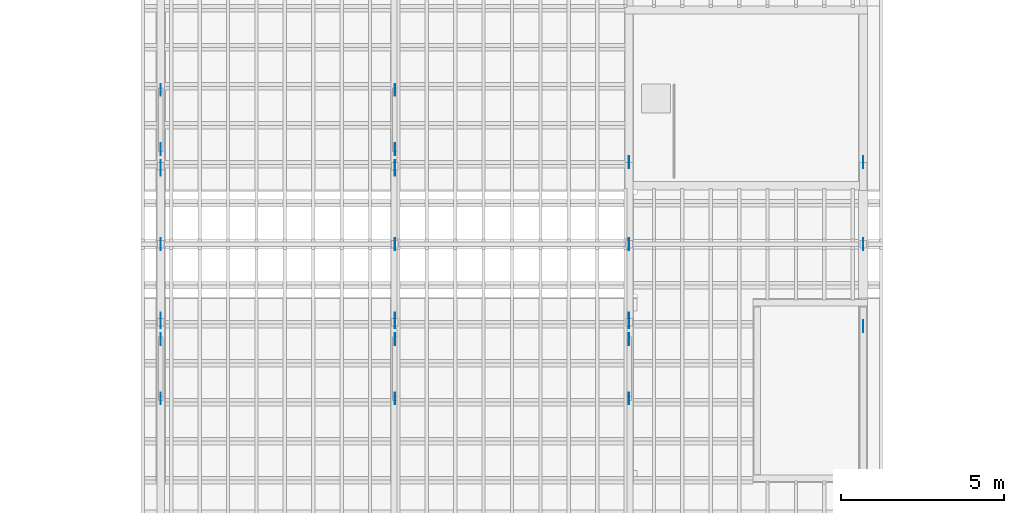
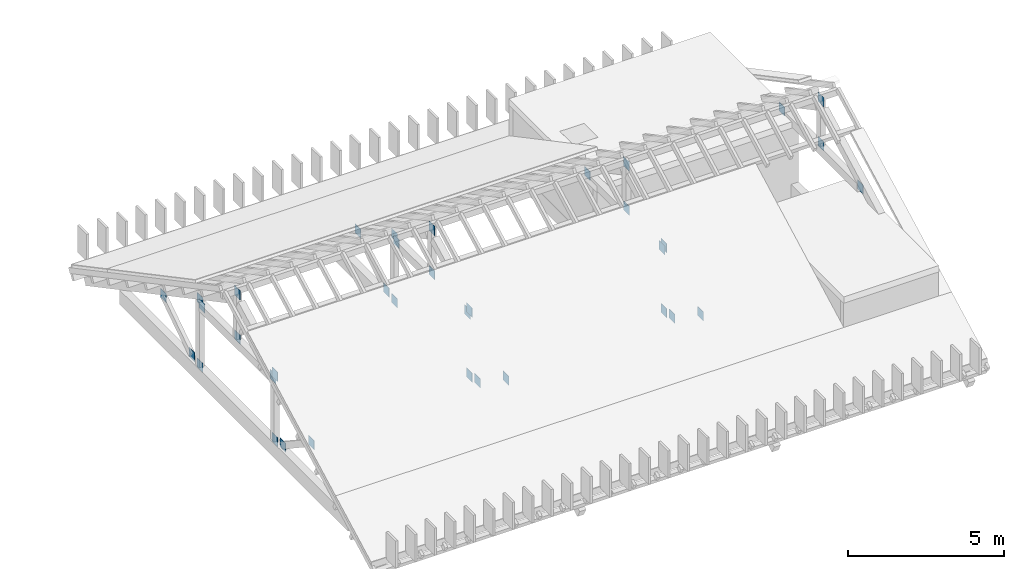
# One storey, part 22 of 28: 36 discrete accessories.
"""IFC4 building model written with IfcOpenShell, lengths in metres."""

from ifc_helpers import new_model, si_unit, direction, frame, origin, origin_2d, place, context, subcontext, project, spatial, rectangle, extrude, material, type_object, element, save


model = new_model("IFC4")

# Units and contexts
model_context = context("Model", 3, precision=1e-05, world=origin(), true_north=direction((0.0, 1.0)))
body_context = subcontext(model_context, "Body", "Model", "MODEL_VIEW")
ifc_project = project(units=[si_unit("LENGTHUNIT", "METRE"), si_unit("AREAUNIT", "SQUARE_METRE"), si_unit("VOLUMEUNIT", "CUBIC_METRE"), si_unit("PLANEANGLEUNIT", "RADIAN"), si_unit("MASSUNIT", "GRAM", prefix="KILO")], contexts=[model_context])

# Site, building, storey
site_placement = place(None, origin())
site = spatial("IfcSite", under=ifc_project, at=site_placement, CompositionType="ELEMENT")
building_placement = place(site_placement, origin())
building = spatial("IfcBuilding", under=site, at=building_placement, Name="Mazhai Court Health Centre", CompositionType="ELEMENT")
storey_placement = place(building_placement, frame((0.0, 0.0, 18.0)))
storey = spatial("IfcBuildingStorey", under=building, at=storey_placement, Name="RF", CompositionType="ELEMENT", Elevation=18.0)

# Discrete accessories
ifc_material = material(Name="Steel IS 2062 E250", Category="steel")
discrete_accessory_type = type_object("IfcDiscreteAccessoryType", Name="TRUSS NODE PLATE 12", PredefinedType="BRACKET", material=ifc_material)
for number, where, z_axis, x_axis, name in (
    (1, (107.0, 18.199951171875, 0.3798828125), (0.0, 0.0, 1.0), (1.0, 0.0, 0.0), "Node plate Post TV4E-1-P1 end a"),
    (2, (107.0, 18.199951171875, 2.93212890625), (0.0, 0.0, 1.0), (1.0, 0.0, 0.0), "Node plate Post TV4E-1-P1 end b"),
    (3, (107.0, 23.0, 0.3798828125), (0.0, 0.0, 1.0), (1.0, 0.0, 0.0), "Node plate Post TV4E-1-P2 end a"),
    (4, (107.0, 23.0, 2.93212890625), (0.0, 0.0, 1.0), (1.0, 0.0, 0.0), "Node plate Post TV4E-1-P2 end b"),
    (5, (107.0, 18.320068359375, 2.77197265625), (0.0, 0.0, 1.0), (1.0, 0.0, 0.0), "Node plate Collar TV4E-1-SB1 end a"),
    (6, (107.0, 22.8798828125, 2.77197265625), (0.0, 0.0, 1.0), (1.0, 0.0, 0.0), "Node plate Collar TV4E-1-SB1 end b"),
    (7, (107.0, 20.60009765625, 2.93212890625), (0.0, 0.0, 1.0), (1.0, 0.0, 0.0), "Node plate Post TV4E-1-P3 end a"),
    (8, (107.0, 20.60009765625, 4.66650390625), (0.0, 0.0, 1.0), (1.0, 0.0, 0.0), "Node plate Post TV4E-1-P3 end b"),
    (9, (107.0, 17.681640625, 0.47998046875), (0.0, 0.0, 1.0), (1.0, 0.0, 0.0), "Node plate Strut TV4E-1-S1 end a"),
    (10, (107.0, 15.854736328125, 1.68408203125), (0.0, 0.0, 1.0), (1.0, 0.0, 0.0), "Node plate Strut TV4E-1-S1 end b"),
    (11, (107.0, 23.518310546875, 0.47998046875), (0.0, 0.0, 1.0), (1.0, 0.0, 0.0), "Node plate Strut TV4E-1-S2 end a"),
    (12, (107.0, 25.34521484375, 1.68408203125), (0.0, 0.0, 1.0), (1.0, 0.0, 0.0), "Node plate Strut TV4E-1-S2 end b"),
    (13, (114.199951171875, 18.199951171875, 0.3798828125), (0.0, 0.0, 1.0), (1.0, 0.0, 0.0), "Node plate Post TV4E-2-P1 end a"),
    (14, (114.199951171875, 18.199951171875, 2.93212890625), (0.0, 0.0, 1.0), (1.0, 0.0, 0.0), "Node plate Post TV4E-2-P1 end b"),
    (15, (114.199951171875, 23.0, 0.3798828125), (0.0, 0.0, 1.0), (1.0, 0.0, 0.0), "Node plate Post TV4E-2-P2 end a"),
    (16, (114.199951171875, 23.0, 2.93212890625), (0.0, 0.0, 1.0), (1.0, 0.0, 0.0), "Node plate Post TV4E-2-P2 end b"),
    (17, (114.199951171875, 18.320068359375, 2.77197265625), (0.0, 0.0, 1.0), (1.0, 0.0, 0.0), "Node plate Collar TV4E-2-SB1 end a"),
    (18, (114.199951171875, 22.8798828125, 2.77197265625), (0.0, 0.0, 1.0), (1.0, 0.0, 0.0), "Node plate Collar TV4E-2-SB1 end b"),
    (19, (114.199951171875, 20.60009765625, 2.93212890625), (0.0, 0.0, 1.0), (1.0, 0.0, 0.0), "Node plate Post TV4E-2-P3 end a"),
    (20, (114.199951171875, 20.60009765625, 4.66650390625), (0.0, 0.0, 1.0), (1.0, 0.0, 0.0), "Node plate Post TV4E-2-P3 end b"),
    (21, (114.199951171875, 17.681640625, 0.47998046875), (0.0, 0.0, 1.0), (1.0, 0.0, 0.0), "Node plate Strut TV4E-2-S1 end a"),
    (22, (114.199951171875, 15.854736328125, 1.68408203125), (0.0, 0.0, 1.0), (1.0, 0.0, 0.0), "Node plate Strut TV4E-2-S1 end b"),
    (23, (114.199951171875, 23.518310546875, 0.47998046875), (0.0, 0.0, 1.0), (1.0, 0.0, 0.0), "Node plate Strut TV4E-2-S2 end a"),
    (24, (114.199951171875, 25.34521484375, 1.68408203125), (0.0, 0.0, 1.0), (1.0, 0.0, 0.0), "Node plate Strut TV4E-2-S2 end b"),
    (25, (121.39990234375, 18.199951171875, 0.3798828125), (0.0, 0.0, 1.0), (1.0, 0.0, 0.0), "Node plate Post TV4E-3-P1 end a"),
    (26, (121.39990234375, 18.199951171875, 2.93212890625), (0.0, 0.0, 1.0), (1.0, 0.0, 0.0), "Node plate Post TV4E-3-P1 end b"),
    (27, (121.39990234375, 18.320068359375, 2.77197265625), (0.0, 0.0, 1.0), (1.0, 0.0, 0.0), "Node plate Collar TV4E-3-SB1 end a"),
    (28, (121.39990234375, 23.1201171875, 2.77197265625), (0.0, 0.0, 1.0), (1.0, 0.0, 0.0), "Node plate Collar TV4E-3-SB1 end b"),
    (29, (121.39990234375, 20.60009765625, 2.93212890625), (0.0, 0.0, 1.0), (1.0, 0.0, 0.0), "Node plate Post TV4E-3-P3 end a"),
    (30, (121.39990234375, 20.60009765625, 4.66650390625), (0.0, 0.0, 1.0), (1.0, 0.0, 0.0), "Node plate Post TV4E-3-P3 end b"),
    (31, (121.39990234375, 17.681640625, 0.47998046875), (0.0, 0.0, 1.0), (1.0, 0.0, 0.0), "Node plate Strut TV4E-3-S1 end a"),
    (32, (121.39990234375, 15.854736328125, 1.68408203125), (0.0, 0.0, 1.0), (1.0, 0.0, 0.0), "Node plate Strut TV4E-3-S1 end b"),
    (33, (128.60009765625, 18.080078125, 2.77197265625), (0.0, 0.0, 1.0), (1.0, 0.0, 0.0), "Node plate Collar TV4E-4-SB1 end a"),
    (34, (128.60009765625, 23.1201171875, 2.77197265625), (0.0, 0.0, 1.0), (1.0, 0.0, 0.0), "Node plate Collar TV4E-4-SB1 end b"),
    (35, (128.60009765625, 20.60009765625, 2.93212890625), (0.0, 0.0, 1.0), (1.0, 0.0, 0.0), "Node plate Post TV4E-4-P3 end a"),
    (36, (128.60009765625, 20.60009765625, 4.66650390625), (0.0, 0.0, 1.0), (1.0, 0.0, 0.0), "Node plate Post TV4E-4-P3 end b"),
):
    element("IfcDiscreteAccessory", number, at=place(storey_placement, frame(where, z_axis=z_axis, x_axis=x_axis)), inside=storey, type_object=discrete_accessory_type, Name=name, PredefinedType="BRACKET", context=body_context, shape_type="SweptSolid", body=[
        extrude(rectangle(XDim=0.011962890625, YDim=0.360107421875, at=origin_2d()), origin(), (0.0, 0.0, 1.0), 0.360107421875),
    ])

save(model, "model.ifc")
